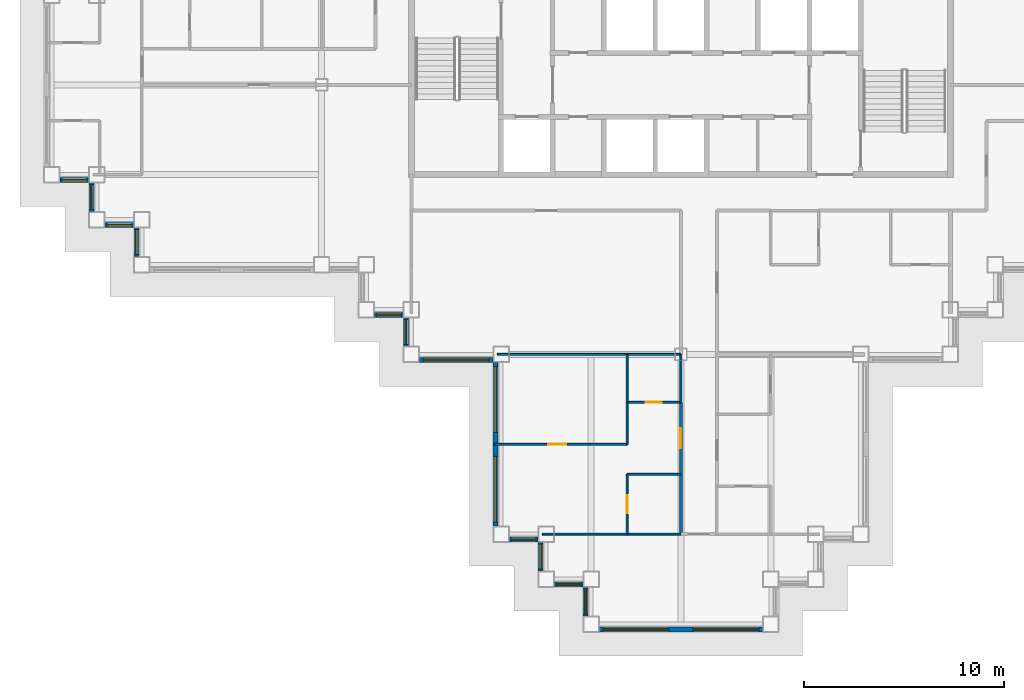
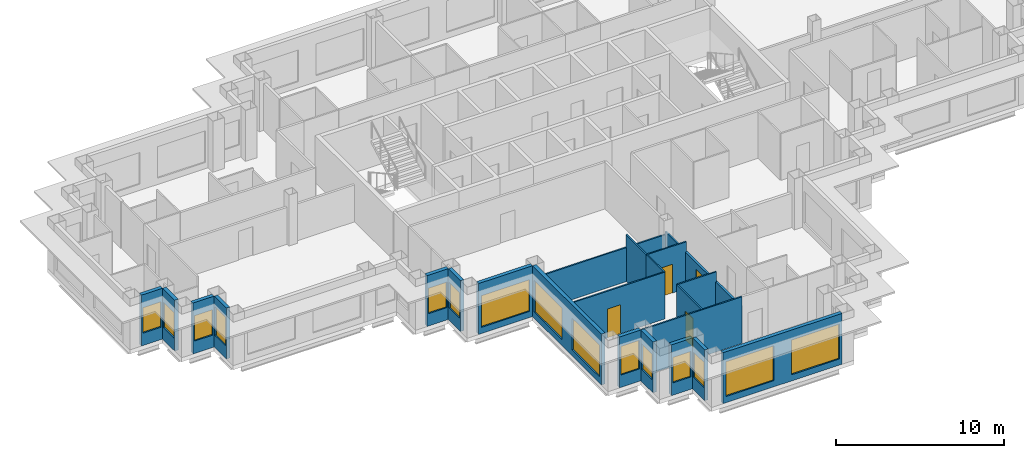
# One storey, part 3 of 13: 24 walls, 15 windows, 4 doors, 19 openings.
"""IFC4 building model written with IfcOpenShell, lengths in metres."""

from ifc_helpers import new_model, si_unit, direction, frame, frame_2d, origin, place, context, subcontext, project, spatial, rectangle, extrude, material, layer, layer_set, type_object, element, fill, save


model = new_model("IFC4")

# Units and contexts
model_context = context("Model", 3, precision=1e-05, world=origin(), true_north=direction((0.0, 1.0)))
body_context = subcontext(model_context, "Body", "Model", "MODEL_VIEW")
ifc_project = project(units=[si_unit("LENGTHUNIT", "METRE"), si_unit("AREAUNIT", "SQUARE_METRE"), si_unit("VOLUMEUNIT", "CUBIC_METRE"), si_unit("PLANEANGLEUNIT", "RADIAN"), si_unit("MASSUNIT", "GRAM", prefix="KILO")], contexts=[model_context])

# Site, building, storey
site_placement = place(None, origin())
site = spatial("IfcSite", under=ifc_project, at=site_placement, CompositionType="ELEMENT")
building_placement = place(site_placement, origin())
building = spatial("IfcBuilding", under=site, at=building_placement, Name="Caravel Reach Hotel and Residences", CompositionType="ELEMENT")
storey_placement = place(building_placement, frame((0.0, 0.0, 158.0)))
storey = spatial("IfcBuildingStorey", under=building, at=storey_placement, Name="L39", CompositionType="ELEMENT", Elevation=158.0)

# Wall, opening, door
ifc_material_1 = material(Name="Gypsum board on steel stud", Category="steel")
ifc_layer_1 = layer(ifc_material_1, 0.10009765625)
ifc_layer_set_1 = layer_set([ifc_layer_1], Name="Bathroom pod wall 100 mm")
wall_type_1 = type_object("IfcWallType", Name="Bathroom pod wall 100 mm", PredefinedType="PARTITIONING", material=ifc_layer_set_1)
wall_1_placement = place(storey_placement, frame((28.800048828125, 11.10009765625, 0.0), z_axis=(0.0, 0.0, 1.0), x_axis=(1.0, 0.0, 0.0)))
wall_1 = element("IfcWall", 1, at=wall_1_placement, inside=storey, type_object=wall_type_1, Name="L39 wall w080", PredefinedType="PARTITIONING", context=body_context, shape_type="SweptSolid", body=[
    extrude(rectangle(XDim=2.699951171875, YDim=0.10009765625, at=frame_2d((1.35009765625, 0.0))), origin(), (0.0, 0.0, 1.0), 3.39990234375),
])
opening_1_placement = place(wall_1_placement, frame((0.949951171875, 0.0, 0.0)))
opening_1 = element("IfcOpeningElement", 2, at=opening_1_placement, cuts=wall_1, Name="Opening D39-041", PredefinedType="OPENING", context=body_context, shape_type="SweptSolid", body=[
    extrude(rectangle(XDim=0.800048828125, YDim=2.10009765625, at=frame_2d((0.39990234375, 1.050048828125))), frame((0.0, 0.06005859375, 0.0), z_axis=(0.0, -1.0, 0.0), x_axis=(1.0, 0.0, 0.0)), (0.0, 0.0, 1.0), 0.1201171875),
])
ifc_material_2 = material(Name="Timber and steel door leaf", Category="steel")
door_type_1 = type_object("IfcDoorType", Name="Bathroom door 800 x 2100", OperationType="SINGLE_SWING_LEFT", PredefinedType="DOOR", material=ifc_material_2)
door_1_placement = place(opening_1_placement, origin())
door_1 = element("IfcDoor", 3, at=door_1_placement, inside=storey, type_object=door_type_1, Name="door D39-041", OperationType="SINGLE_SWING_LEFT", OverallHeight=2.10009765625, OverallWidth=0.800048828125, PredefinedType="DOOR", context=body_context, shape_type="SweptSolid", body=[
    extrude(rectangle(XDim=0.800048828125, YDim=2.10009765625, at=frame_2d((0.39990234375, 1.050048828125))), frame((0.0, 0.02490234375, 0.0), z_axis=(0.0, -1.0, 0.0), x_axis=(1.0, 0.0, 0.0)), (0.0, 0.0, 1.0), 0.050048828125),
])
fill(opening_1, door_1)

# Walls
wall_2_placement = place(storey_placement, frame((28.800048828125, 13.5, 0.0), z_axis=(0.0, 0.0, 1.0), x_axis=(1.0, 0.0, 0.0)))
element("IfcWall", 4, at=wall_2_placement, inside=storey, type_object=wall_type_1, Name="L39 wall w081", PredefinedType="PARTITIONING", context=body_context, shape_type="SweptSolid", body=[
    extrude(rectangle(XDim=2.699951171875, YDim=0.10009765625, at=frame_2d((1.35009765625, 0.0))), origin(), (0.0, 0.0, 1.0), 2.47998046875),
])
wall_3_placement = place(storey_placement, frame((28.800048828125, 11.10009765625, 0.0), z_axis=(0.0, 0.0, 1.0), x_axis=(0.0, 1.0, 0.0)))
element("IfcWall", 5, at=wall_3_placement, inside=storey, type_object=wall_type_1, Name="L39 wall w101", PredefinedType="PARTITIONING", context=body_context, shape_type="SweptSolid", body=[
    extrude(rectangle(XDim=2.39990234375, YDim=0.10009765625, at=frame_2d((1.199951171875, 0.0))), origin(), (0.0, 0.0, 1.0), 3.39990234375),
])
wall_4_placement = place(storey_placement, frame((31.5, 11.10009765625, 0.0), z_axis=(0.0, 0.0, 1.0), x_axis=(0.0, 1.0, 0.0)))
element("IfcWall", 6, at=wall_4_placement, inside=storey, type_object=wall_type_1, Name="L39 wall w103", PredefinedType="PARTITIONING", context=body_context, shape_type="SweptSolid", body=[
    extrude(rectangle(XDim=2.39990234375, YDim=0.10009765625, at=frame_2d((1.199951171875, 0.0))), origin(), (0.0, 0.0, 1.0), 2.679931640625),
])

# Wall, opening, door
ifc_material_3 = material(Name="Gypsum board on steel stud, fire-rated", Category="steel")
ifc_layer_2 = layer(ifc_material_3, 0.14990234375)
ifc_layer_set_2 = layer_set([ifc_layer_2], Name="Corridor wall 150 mm EI 60")
wall_type_2 = type_object("IfcWallType", Name="Corridor wall 150 mm EI 60", PredefinedType="PARTITIONING", material=ifc_layer_set_2)
wall_5_placement = place(storey_placement, frame((31.5, 4.5, 0.0), z_axis=(0.0, 0.0, 1.0), x_axis=(0.0, 1.0, 0.0)))
wall_5 = element("IfcWall", 7, at=wall_5_placement, inside=storey, type_object=wall_type_2, Name="L39 wall w025", PredefinedType="PARTITIONING", context=body_context, shape_type="SweptSolid", body=[
    extrude(rectangle(XDim=6.60009765625, YDim=0.14990234375, at=frame_2d((3.300048828125, 0.0))), origin(), (0.0, 0.0, 1.0), 2.679931640625),
])
opening_2_placement = place(wall_5_placement, frame((4.300048828125, 0.0, 0.0)))
opening_2 = element("IfcOpeningElement", 8, at=opening_2_placement, cuts=wall_5, Name="Opening D39-039", PredefinedType="OPENING", context=body_context, shape_type="SweptSolid", body=[
    extrude(rectangle(XDim=1.0, YDim=2.199951171875, at=frame_2d((0.5, 1.10009765625))), frame((0.0, 0.0849609375, 0.0), z_axis=(0.0, -1.0, 0.0), x_axis=(1.0, 0.0, 0.0)), (0.0, 0.0, 1.0), 0.169921875),
])
ifc_material_4 = material(Name="Steel fire door leaf", Category="steel")
door_type_2 = type_object("IfcDoorType", Name="Flat entrance door 1000 x 2200 EI 60", OperationType="SINGLE_SWING_LEFT", PredefinedType="DOOR", material=ifc_material_4)
door_2_placement = place(opening_2_placement, origin())
door_2 = element("IfcDoor", 9, at=door_2_placement, inside=storey, type_object=door_type_2, Name="door D39-039", OperationType="SINGLE_SWING_LEFT", OverallHeight=2.199951171875, OverallWidth=1.0, PredefinedType="DOOR", context=body_context, shape_type="SweptSolid", body=[
    extrude(rectangle(XDim=1.0, YDim=2.199951171875, at=frame_2d((0.5, 1.10009765625))), frame((0.0, 0.02490234375, 0.0), z_axis=(0.0, -1.0, 0.0), x_axis=(1.0, 0.0, 0.0)), (0.0, 0.0, 1.0), 0.050048828125),
])
fill(opening_2, door_2)

# Wall, opening, window
ifc_material_5 = material(Name="Insulated rainscreen wall, aluminium cladding", Category="aluminium")
ifc_layer_3 = layer(ifc_material_5, 0.25)
ifc_layer_set_3 = layer_set([ifc_layer_3], Name="EW1 Tower rainscreen wall")
wall_type_3 = type_object("IfcWallType", Name="EW1 Tower rainscreen wall", PredefinedType="SOLIDWALL", material=ifc_layer_set_3)
wall_6_placement = place(storey_placement, frame((22.89990234375, 4.22509765625, 0.0), z_axis=(0.0, 0.0, 1.0), x_axis=(1.0, 0.0, 0.0)))
wall_6 = element("IfcWall", 10, at=wall_6_placement, inside=storey, type_object=wall_type_3, Name="External wall L39 S1.1", PredefinedType="SOLIDWALL", context=body_context, shape_type="SweptSolid", body=[
    extrude(rectangle(XDim=1.4501953125, YDim=0.25, at=frame_2d((0.72509765625, 0.0))), origin(), (0.0, 0.0, 1.0), 3.699951171875),
])
opening_3_placement = place(wall_6_placement, frame((0.10009765625, 0.0, 0.89990234375)))
opening_3 = element("IfcOpeningElement", 11, at=opening_3_placement, cuts=wall_6, Name="Opening WN12", PredefinedType="OPENING", context=body_context, shape_type="SweptSolid", body=[
    extrude(rectangle(XDim=1.25, YDim=2.080078125, at=frame_2d((0.625, 1.0400390625))), frame((0.0, 0.135009765625, 0.0), z_axis=(0.0, -1.0, 0.0), x_axis=(1.0, 0.0, 0.0)), (0.0, 0.0, 1.0), 0.27001953125),
])
ifc_material_6 = material(Name="Dark low-e glazing in black aluminium frame", Category="aluminium")
window_type_1 = type_object("IfcWindowType", Name="Residence bedroom window 1250 x 2080", PartitioningType="SINGLE_PANEL", PredefinedType="WINDOW", material=ifc_material_6)
window_1_placement = place(opening_3_placement, origin())
window_1 = element("IfcWindow", 12, at=window_1_placement, inside=storey, type_object=window_type_1, Name="Window L39 S1.1.1", OverallHeight=2.080078125, OverallWidth=1.25, PartitioningType="SINGLE_PANEL", PredefinedType="WINDOW", context=body_context, shape_type="SweptSolid", body=[
    extrude(rectangle(XDim=1.25, YDim=2.080078125, at=frame_2d((0.625, 1.0400390625))), frame((0.0, 0.030029296875, 0.0), z_axis=(0.0, -1.0, 0.0), x_axis=(1.0, 0.0, 0.0)), (0.0, 0.0, 1.0), 0.06005859375),
])
fill(opening_3, window_1)

wall_7_placement = place(storey_placement, frame((24.47509765625, 4.10009765625, 0.0), z_axis=(0.0, 0.0, 1.0), x_axis=(0.0, -1.0, 0.0)))
wall_7 = element("IfcWall", 13, at=wall_7_placement, inside=storey, type_object=wall_type_3, Name="External wall L39 W2.1", PredefinedType="SOLIDWALL", context=body_context, shape_type="SweptSolid", body=[
    extrude(rectangle(XDim=1.4501953125, YDim=0.25, at=frame_2d((0.72509765625, 0.0))), origin(), (0.0, 0.0, 1.0), 3.699951171875),
])
opening_4_placement = place(wall_7_placement, frame((0.10009765625, 0.0, 0.89990234375)))
opening_4 = element("IfcOpeningElement", 14, at=opening_4_placement, cuts=wall_7, Name="Opening WN13", PredefinedType="OPENING", context=body_context, shape_type="SweptSolid", body=[
    extrude(rectangle(XDim=1.25, YDim=1.85009765625, at=frame_2d((0.625, 0.925048828125))), frame((0.0, 0.135009765625, 0.0), z_axis=(0.0, -1.0, 0.0), x_axis=(1.0, 0.0, 0.0)), (0.0, 0.0, 1.0), 0.27001953125),
])
ifc_material_7 = material(Name="Dark low-e glazing in black aluminium frame", Category="aluminium")
window_type_2 = type_object("IfcWindowType", Name="Residence bedroom window 1250 x 1850", PartitioningType="SINGLE_PANEL", PredefinedType="WINDOW", material=ifc_material_7)
window_2_placement = place(opening_4_placement, origin())
window_2 = element("IfcWindow", 15, at=window_2_placement, inside=storey, type_object=window_type_2, Name="Window L39 W2.1.1", OverallHeight=1.85009765625, OverallWidth=1.25, PartitioningType="SINGLE_PANEL", PredefinedType="WINDOW", context=body_context, shape_type="SweptSolid", body=[
    extrude(rectangle(XDim=1.25, YDim=1.85009765625, at=frame_2d((0.625, 0.925048828125))), frame((0.0, 0.030029296875, 0.0), z_axis=(0.0, -1.0, 0.0), x_axis=(1.0, 0.0, 0.0)), (0.0, 0.0, 1.0), 0.06005859375),
])
fill(opening_4, window_2)

wall_8_placement = place(storey_placement, frame((25.14990234375, 1.97509765625, 0.0), z_axis=(0.0, 0.0, 1.0), x_axis=(1.0, 0.0, 0.0)))
wall_8 = element("IfcWall", 16, at=wall_8_placement, inside=storey, type_object=wall_type_3, Name="External wall L39 S3.1", PredefinedType="SOLIDWALL", context=body_context, shape_type="SweptSolid", body=[
    extrude(rectangle(XDim=1.4501953125, YDim=0.25, at=frame_2d((0.72509765625, 0.0))), origin(), (0.0, 0.0, 1.0), 3.699951171875),
])
opening_5_placement = place(wall_8_placement, frame((0.10009765625, 0.0, 0.89990234375)))
opening_5 = element("IfcOpeningElement", 17, at=opening_5_placement, cuts=wall_8, Name="Opening WN13", PredefinedType="OPENING", context=body_context, shape_type="SweptSolid", body=[
    extrude(rectangle(XDim=1.25, YDim=1.85009765625, at=frame_2d((0.625, 0.925048828125))), frame((0.0, 0.135009765625, 0.0), z_axis=(0.0, -1.0, 0.0), x_axis=(1.0, 0.0, 0.0)), (0.0, 0.0, 1.0), 0.27001953125),
])
window_3_placement = place(opening_5_placement, origin())
window_3 = element("IfcWindow", 18, at=window_3_placement, inside=storey, type_object=window_type_2, Name="Window L39 S3.1.1", OverallHeight=1.85009765625, OverallWidth=1.25, PartitioningType="SINGLE_PANEL", PredefinedType="WINDOW", context=body_context, shape_type="SweptSolid", body=[
    extrude(rectangle(XDim=1.25, YDim=1.85009765625, at=frame_2d((0.625, 0.925048828125))), frame((0.0, 0.030029296875, 0.0), z_axis=(0.0, -1.0, 0.0), x_axis=(1.0, 0.0, 0.0)), (0.0, 0.0, 1.0), 0.06005859375),
])
fill(opening_5, window_3)

wall_9_placement = place(storey_placement, frame((26.72509765625, 1.85009765625, 0.0), z_axis=(0.0, 0.0, 1.0), x_axis=(0.0, -1.0, 0.0)))
wall_9 = element("IfcWall", 19, at=wall_9_placement, inside=storey, type_object=wall_type_3, Name="External wall L39 W4.1", PredefinedType="SOLIDWALL", context=body_context, shape_type="SweptSolid", body=[
    extrude(rectangle(XDim=1.4501953125, YDim=0.25, at=frame_2d((0.72509765625, 0.0))), origin(), (0.0, 0.0, 1.0), 3.699951171875),
])
opening_6_placement = place(wall_9_placement, frame((0.10009765625, 0.0, 0.89990234375)))
opening_6 = element("IfcOpeningElement", 20, at=opening_6_placement, cuts=wall_9, Name="Opening WN13", PredefinedType="OPENING", context=body_context, shape_type="SweptSolid", body=[
    extrude(rectangle(XDim=1.25, YDim=1.85009765625, at=frame_2d((0.625, 0.925048828125))), frame((0.0, 0.135009765625, 0.0), z_axis=(0.0, -1.0, 0.0), x_axis=(1.0, 0.0, 0.0)), (0.0, 0.0, 1.0), 0.27001953125),
])
window_4_placement = place(opening_6_placement, origin())
window_4 = element("IfcWindow", 21, at=window_4_placement, inside=storey, type_object=window_type_2, Name="Window L39 W4.1.1", OverallHeight=1.85009765625, OverallWidth=1.25, PartitioningType="SINGLE_PANEL", PredefinedType="WINDOW", context=body_context, shape_type="SweptSolid", body=[
    extrude(rectangle(XDim=1.25, YDim=1.85009765625, at=frame_2d((0.625, 0.925048828125))), frame((0.0, 0.030029296875, 0.0), z_axis=(0.0, -1.0, 0.0), x_axis=(1.0, 0.0, 0.0)), (0.0, 0.0, 1.0), 0.06005859375),
])
fill(opening_6, window_4)

# Wall, openings, windows
wall_10_placement = place(storey_placement, frame((27.39990234375, -0.27490234375, 0.0), z_axis=(0.0, 0.0, 1.0), x_axis=(1.0, 0.0, 0.0)))
wall_10 = element("IfcWall", 22, at=wall_10_placement, inside=storey, type_object=wall_type_3, Name="External wall L39 S5.1", PredefinedType="SOLIDWALL", context=body_context, shape_type="SweptSolid", body=[
    extrude(rectangle(XDim=8.2001953125, YDim=0.25, at=frame_2d((4.10009765625, 0.0))), origin(), (0.0, 0.0, 1.0), 3.699951171875),
])
opening_7_placement = place(wall_10_placement, frame((0.199951171875, 0.0, 0.449951171875)))
opening_7 = element("IfcOpeningElement", 23, at=opening_7_placement, cuts=wall_10, Name="Opening WN14", PredefinedType="OPENING", context=body_context, shape_type="SweptSolid", body=[
    extrude(rectangle(XDim=3.300048828125, YDim=2.530029296875, at=frame_2d((1.64990234375, 1.26513671875))), frame((0.0, 0.135009765625, 0.0), z_axis=(0.0, -1.0, 0.0), x_axis=(1.0, 0.0, 0.0)), (0.0, 0.0, 1.0), 0.27001953125),
])
opening_8_placement = place(wall_10_placement, frame((4.699951171875, 0.0, 0.449951171875)))
opening_8 = element("IfcOpeningElement", 24, at=opening_8_placement, cuts=wall_10, Name="Opening WN14", PredefinedType="OPENING", context=body_context, shape_type="SweptSolid", body=[
    extrude(rectangle(XDim=3.300048828125, YDim=2.530029296875, at=frame_2d((1.64990234375, 1.26513671875))), frame((0.0, 0.135009765625, 0.0), z_axis=(0.0, -1.0, 0.0), x_axis=(1.0, 0.0, 0.0)), (0.0, 0.0, 1.0), 0.27001953125),
])
ifc_material_8 = material(Name="Dark low-e glazing in black aluminium frame", Category="aluminium")
window_type_3 = type_object("IfcWindowType", Name="Residence living window 3300 x 2530", PartitioningType="SINGLE_PANEL", PredefinedType="WINDOW", material=ifc_material_8)
window_5_placement = place(opening_7_placement, origin())
window_5 = element("IfcWindow", 25, at=window_5_placement, inside=storey, type_object=window_type_3, Name="Window L39 S5.1.1", OverallHeight=2.530029296875, OverallWidth=3.300048828125, PartitioningType="SINGLE_PANEL", PredefinedType="WINDOW", context=body_context, shape_type="SweptSolid", body=[
    extrude(rectangle(XDim=3.300048828125, YDim=2.530029296875, at=frame_2d((1.64990234375, 1.26513671875))), frame((0.0, 0.030029296875, 0.0), z_axis=(0.0, -1.0, 0.0), x_axis=(1.0, 0.0, 0.0)), (0.0, 0.0, 1.0), 0.06005859375),
])
fill(opening_7, window_5)
window_6_placement = place(opening_8_placement, origin())
window_6 = element("IfcWindow", 26, at=window_6_placement, inside=storey, type_object=window_type_3, Name="Window L39 S5.1.2", OverallHeight=2.530029296875, OverallWidth=3.300048828125, PartitioningType="SINGLE_PANEL", PredefinedType="WINDOW", context=body_context, shape_type="SweptSolid", body=[
    extrude(rectangle(XDim=3.300048828125, YDim=2.530029296875, at=frame_2d((1.64990234375, 1.26513671875))), frame((0.0, 0.030029296875, 0.0), z_axis=(0.0, -1.0, 0.0), x_axis=(1.0, 0.0, 0.0)), (0.0, 0.0, 1.0), 0.06005859375),
])
fill(opening_8, window_6)

# Wall, opening, window
wall_11_placement = place(storey_placement, frame((0.39990234375, 22.22509765625, 0.0), z_axis=(0.0, 0.0, 1.0), x_axis=(1.0, 0.0, 0.0)))
wall_11 = element("IfcWall", 27, at=wall_11_placement, inside=storey, type_object=wall_type_3, Name="External wall L39 S39.1", PredefinedType="SOLIDWALL", context=body_context, shape_type="SweptSolid", body=[
    extrude(rectangle(XDim=1.4501953125, YDim=0.25, at=frame_2d((0.72509765625, 0.0))), origin(), (0.0, 0.0, 1.0), 3.699951171875),
])
opening_9_placement = place(wall_11_placement, frame((0.10009765625, 0.0, 0.89990234375)))
opening_9 = element("IfcOpeningElement", 28, at=opening_9_placement, cuts=wall_11, Name="Opening WN13", PredefinedType="OPENING", context=body_context, shape_type="SweptSolid", body=[
    extrude(rectangle(XDim=1.25, YDim=1.85009765625, at=frame_2d((0.625, 0.925048828125))), frame((0.0, 0.135009765625, 0.0), z_axis=(0.0, -1.0, 0.0), x_axis=(1.0, 0.0, 0.0)), (0.0, 0.0, 1.0), 0.27001953125),
])
window_7_placement = place(opening_9_placement, origin())
window_7 = element("IfcWindow", 29, at=window_7_placement, inside=storey, type_object=window_type_2, Name="Window L39 S39.1.1", OverallHeight=1.85009765625, OverallWidth=1.25, PartitioningType="SINGLE_PANEL", PredefinedType="WINDOW", context=body_context, shape_type="SweptSolid", body=[
    extrude(rectangle(XDim=1.25, YDim=1.85009765625, at=frame_2d((0.625, 0.925048828125))), frame((0.0, 0.030029296875, 0.0), z_axis=(0.0, -1.0, 0.0), x_axis=(1.0, 0.0, 0.0)), (0.0, 0.0, 1.0), 0.06005859375),
])
fill(opening_9, window_7)

wall_12_placement = place(storey_placement, frame((1.97509765625, 22.10009765625, 0.0), z_axis=(0.0, 0.0, 1.0), x_axis=(0.0, -1.0, 0.0)))
wall_12 = element("IfcWall", 30, at=wall_12_placement, inside=storey, type_object=wall_type_3, Name="External wall L39 W40.1", PredefinedType="SOLIDWALL", context=body_context, shape_type="SweptSolid", body=[
    extrude(rectangle(XDim=1.4501953125, YDim=0.25, at=frame_2d((0.72509765625, 0.0))), origin(), (0.0, 0.0, 1.0), 3.699951171875),
])
opening_10_placement = place(wall_12_placement, frame((0.10009765625, 0.0, 0.89990234375)))
opening_10 = element("IfcOpeningElement", 31, at=opening_10_placement, cuts=wall_12, Name="Opening WN13", PredefinedType="OPENING", context=body_context, shape_type="SweptSolid", body=[
    extrude(rectangle(XDim=1.25, YDim=1.85009765625, at=frame_2d((0.625, 0.925048828125))), frame((0.0, 0.135009765625, 0.0), z_axis=(0.0, -1.0, 0.0), x_axis=(1.0, 0.0, 0.0)), (0.0, 0.0, 1.0), 0.27001953125),
])
window_8_placement = place(opening_10_placement, origin())
window_8 = element("IfcWindow", 32, at=window_8_placement, inside=storey, type_object=window_type_2, Name="Window L39 W40.1.1", OverallHeight=1.85009765625, OverallWidth=1.25, PartitioningType="SINGLE_PANEL", PredefinedType="WINDOW", context=body_context, shape_type="SweptSolid", body=[
    extrude(rectangle(XDim=1.25, YDim=1.85009765625, at=frame_2d((0.625, 0.925048828125))), frame((0.0, 0.030029296875, 0.0), z_axis=(0.0, -1.0, 0.0), x_axis=(1.0, 0.0, 0.0)), (0.0, 0.0, 1.0), 0.06005859375),
])
fill(opening_10, window_8)

wall_13_placement = place(storey_placement, frame((2.64990234375, 19.97509765625, 0.0), z_axis=(0.0, 0.0, 1.0), x_axis=(1.0, 0.0, 0.0)))
wall_13 = element("IfcWall", 33, at=wall_13_placement, inside=storey, type_object=wall_type_3, Name="External wall L39 S41.1", PredefinedType="SOLIDWALL", context=body_context, shape_type="SweptSolid", body=[
    extrude(rectangle(XDim=1.4501953125, YDim=0.25, at=frame_2d((0.72509765625, 0.0))), origin(), (0.0, 0.0, 1.0), 3.699951171875),
])
opening_11_placement = place(wall_13_placement, frame((0.10009765625, 0.0, 0.89990234375)))
opening_11 = element("IfcOpeningElement", 34, at=opening_11_placement, cuts=wall_13, Name="Opening WN13", PredefinedType="OPENING", context=body_context, shape_type="SweptSolid", body=[
    extrude(rectangle(XDim=1.25, YDim=1.85009765625, at=frame_2d((0.625, 0.925048828125))), frame((0.0, 0.135009765625, 0.0), z_axis=(0.0, -1.0, 0.0), x_axis=(1.0, 0.0, 0.0)), (0.0, 0.0, 1.0), 0.27001953125),
])
window_9_placement = place(opening_11_placement, origin())
window_9 = element("IfcWindow", 35, at=window_9_placement, inside=storey, type_object=window_type_2, Name="Window L39 S41.1.1", OverallHeight=1.85009765625, OverallWidth=1.25, PartitioningType="SINGLE_PANEL", PredefinedType="WINDOW", context=body_context, shape_type="SweptSolid", body=[
    extrude(rectangle(XDim=1.25, YDim=1.85009765625, at=frame_2d((0.625, 0.925048828125))), frame((0.0, 0.030029296875, 0.0), z_axis=(0.0, -1.0, 0.0), x_axis=(1.0, 0.0, 0.0)), (0.0, 0.0, 1.0), 0.06005859375),
])
fill(opening_11, window_9)

wall_14_placement = place(storey_placement, frame((4.22509765625, 19.85009765625, 0.0), z_axis=(0.0, 0.0, 1.0), x_axis=(0.0, -1.0, 0.0)))
wall_14 = element("IfcWall", 36, at=wall_14_placement, inside=storey, type_object=wall_type_3, Name="External wall L39 W42.1", PredefinedType="SOLIDWALL", context=body_context, shape_type="SweptSolid", body=[
    extrude(rectangle(XDim=1.4501953125, YDim=0.25, at=frame_2d((0.72509765625, 0.0))), origin(), (0.0, 0.0, 1.0), 3.699951171875),
])
opening_12_placement = place(wall_14_placement, frame((0.10009765625, 0.0, 0.89990234375)))
opening_12 = element("IfcOpeningElement", 37, at=opening_12_placement, cuts=wall_14, Name="Opening WN12", PredefinedType="OPENING", context=body_context, shape_type="SweptSolid", body=[
    extrude(rectangle(XDim=1.25, YDim=2.080078125, at=frame_2d((0.625, 1.0400390625))), frame((0.0, 0.135009765625, 0.0), z_axis=(0.0, -1.0, 0.0), x_axis=(1.0, 0.0, 0.0)), (0.0, 0.0, 1.0), 0.27001953125),
])
window_10_placement = place(opening_12_placement, origin())
window_10 = element("IfcWindow", 38, at=window_10_placement, inside=storey, type_object=window_type_1, Name="Window L39 W42.1.1", OverallHeight=2.080078125, OverallWidth=1.25, PartitioningType="SINGLE_PANEL", PredefinedType="WINDOW", context=body_context, shape_type="SweptSolid", body=[
    extrude(rectangle(XDim=1.25, YDim=2.080078125, at=frame_2d((0.625, 1.0400390625))), frame((0.0, 0.030029296875, 0.0), z_axis=(0.0, -1.0, 0.0), x_axis=(1.0, 0.0, 0.0)), (0.0, 0.0, 1.0), 0.06005859375),
])
fill(opening_12, window_10)

wall_15_placement = place(storey_placement, frame((16.14990234375, 15.47509765625, 0.0), z_axis=(0.0, 0.0, 1.0), x_axis=(1.0, 0.0, 0.0)))
wall_15 = element("IfcWall", 39, at=wall_15_placement, inside=storey, type_object=wall_type_3, Name="External wall L39 S45.1", PredefinedType="SOLIDWALL", context=body_context, shape_type="SweptSolid", body=[
    extrude(rectangle(XDim=1.4501953125, YDim=0.25, at=frame_2d((0.72509765625, 0.0))), origin(), (0.0, 0.0, 1.0), 3.699951171875),
])
opening_13_placement = place(wall_15_placement, frame((0.10009765625, 0.0, 0.89990234375)))
opening_13 = element("IfcOpeningElement", 40, at=opening_13_placement, cuts=wall_15, Name="Opening WN13", PredefinedType="OPENING", context=body_context, shape_type="SweptSolid", body=[
    extrude(rectangle(XDim=1.25, YDim=1.85009765625, at=frame_2d((0.625, 0.925048828125))), frame((0.0, 0.135009765625, 0.0), z_axis=(0.0, -1.0, 0.0), x_axis=(1.0, 0.0, 0.0)), (0.0, 0.0, 1.0), 0.27001953125),
])
window_11_placement = place(opening_13_placement, origin())
window_11 = element("IfcWindow", 41, at=window_11_placement, inside=storey, type_object=window_type_2, Name="Window L39 S45.1.1", OverallHeight=1.85009765625, OverallWidth=1.25, PartitioningType="SINGLE_PANEL", PredefinedType="WINDOW", context=body_context, shape_type="SweptSolid", body=[
    extrude(rectangle(XDim=1.25, YDim=1.85009765625, at=frame_2d((0.625, 0.925048828125))), frame((0.0, 0.030029296875, 0.0), z_axis=(0.0, -1.0, 0.0), x_axis=(1.0, 0.0, 0.0)), (0.0, 0.0, 1.0), 0.06005859375),
])
fill(opening_13, window_11)

wall_16_placement = place(storey_placement, frame((17.72509765625, 15.35009765625, 0.0), z_axis=(0.0, 0.0, 1.0), x_axis=(0.0, -1.0, 0.0)))
wall_16 = element("IfcWall", 42, at=wall_16_placement, inside=storey, type_object=wall_type_3, Name="External wall L39 W46.1", PredefinedType="SOLIDWALL", context=body_context, shape_type="SweptSolid", body=[
    extrude(rectangle(XDim=1.4501953125, YDim=0.25, at=frame_2d((0.72509765625, 0.0))), origin(), (0.0, 0.0, 1.0), 3.699951171875),
])
opening_14_placement = place(wall_16_placement, frame((0.10009765625, 0.0, 0.89990234375)))
opening_14 = element("IfcOpeningElement", 43, at=opening_14_placement, cuts=wall_16, Name="Opening WN13", PredefinedType="OPENING", context=body_context, shape_type="SweptSolid", body=[
    extrude(rectangle(XDim=1.25, YDim=1.85009765625, at=frame_2d((0.625, 0.925048828125))), frame((0.0, 0.135009765625, 0.0), z_axis=(0.0, -1.0, 0.0), x_axis=(1.0, 0.0, 0.0)), (0.0, 0.0, 1.0), 0.27001953125),
])
window_12_placement = place(opening_14_placement, origin())
window_12 = element("IfcWindow", 44, at=window_12_placement, inside=storey, type_object=window_type_2, Name="Window L39 W46.1.1", OverallHeight=1.85009765625, OverallWidth=1.25, PartitioningType="SINGLE_PANEL", PredefinedType="WINDOW", context=body_context, shape_type="SweptSolid", body=[
    extrude(rectangle(XDim=1.25, YDim=1.85009765625, at=frame_2d((0.625, 0.925048828125))), frame((0.0, 0.030029296875, 0.0), z_axis=(0.0, -1.0, 0.0), x_axis=(1.0, 0.0, 0.0)), (0.0, 0.0, 1.0), 0.06005859375),
])
fill(opening_14, window_12)

wall_17_placement = place(storey_placement, frame((18.39990234375, 13.22509765625, 0.0), z_axis=(0.0, 0.0, 1.0), x_axis=(1.0, 0.0, 0.0)))
wall_17 = element("IfcWall", 45, at=wall_17_placement, inside=storey, type_object=wall_type_3, Name="External wall L39 S47.1", PredefinedType="SOLIDWALL", context=body_context, shape_type="SweptSolid", body=[
    extrude(rectangle(XDim=3.7001953125, YDim=0.25, at=frame_2d((1.85009765625, 0.0))), origin(), (0.0, 0.0, 1.0), 3.699951171875),
])
opening_15_placement = place(wall_17_placement, frame((0.199951171875, 0.0, 0.449951171875)))
opening_15 = element("IfcOpeningElement", 46, at=opening_15_placement, cuts=wall_17, Name="Opening WN15", PredefinedType="OPENING", context=body_context, shape_type="SweptSolid", body=[
    extrude(rectangle(XDim=3.300048828125, YDim=2.300048828125, at=frame_2d((1.64990234375, 1.14990234375))), frame((0.0, 0.135009765625, 0.0), z_axis=(0.0, -1.0, 0.0), x_axis=(1.0, 0.0, 0.0)), (0.0, 0.0, 1.0), 0.27001953125),
])
ifc_material_9 = material(Name="Dark low-e glazing in black aluminium frame", Category="aluminium")
window_type_4 = type_object("IfcWindowType", Name="Residence living window 3300 x 2300", PartitioningType="SINGLE_PANEL", PredefinedType="WINDOW", material=ifc_material_9)
window_13_placement = place(opening_15_placement, origin())
window_13 = element("IfcWindow", 47, at=window_13_placement, inside=storey, type_object=window_type_4, Name="Window L39 S47.1.1", OverallHeight=2.300048828125, OverallWidth=3.300048828125, PartitioningType="SINGLE_PANEL", PredefinedType="WINDOW", context=body_context, shape_type="SweptSolid", body=[
    extrude(rectangle(XDim=3.300048828125, YDim=2.300048828125, at=frame_2d((1.64990234375, 1.14990234375))), frame((0.0, 0.030029296875, 0.0), z_axis=(0.0, -1.0, 0.0), x_axis=(1.0, 0.0, 0.0)), (0.0, 0.0, 1.0), 0.06005859375),
])
fill(opening_15, window_13)

# Wall, openings, windows
wall_18_placement = place(storey_placement, frame((22.22509765625, 13.10009765625, 0.0), z_axis=(0.0, 0.0, 1.0), x_axis=(0.0, -1.0, 0.0)))
wall_18 = element("IfcWall", 48, at=wall_18_placement, inside=storey, type_object=wall_type_3, Name="External wall L39 W48.1", PredefinedType="SOLIDWALL", context=body_context, shape_type="SweptSolid", body=[
    extrude(rectangle(XDim=8.2001953125, YDim=0.25, at=frame_2d((4.10009765625, 0.0))), origin(), (0.0, 0.0, 1.0), 3.699951171875),
])
opening_16_placement = place(wall_18_placement, frame((0.199951171875, 0.0, 0.449951171875)))
opening_16 = element("IfcOpeningElement", 49, at=opening_16_placement, cuts=wall_18, Name="Opening WN15", PredefinedType="OPENING", context=body_context, shape_type="SweptSolid", body=[
    extrude(rectangle(XDim=3.300048828125, YDim=2.300048828125, at=frame_2d((1.64990234375, 1.14990234375))), frame((0.0, 0.135009765625, 0.0), z_axis=(0.0, -1.0, 0.0), x_axis=(1.0, 0.0, 0.0)), (0.0, 0.0, 1.0), 0.27001953125),
])
opening_17_placement = place(wall_18_placement, frame((4.699951171875, 0.0, 0.449951171875)))
opening_17 = element("IfcOpeningElement", 50, at=opening_17_placement, cuts=wall_18, Name="Opening WN15", PredefinedType="OPENING", context=body_context, shape_type="SweptSolid", body=[
    extrude(rectangle(XDim=3.300048828125, YDim=2.300048828125, at=frame_2d((1.64990234375, 1.14990234375))), frame((0.0, 0.135009765625, 0.0), z_axis=(0.0, -1.0, 0.0), x_axis=(1.0, 0.0, 0.0)), (0.0, 0.0, 1.0), 0.27001953125),
])
window_14_placement = place(opening_16_placement, origin())
window_14 = element("IfcWindow", 51, at=window_14_placement, inside=storey, type_object=window_type_4, Name="Window L39 W48.1.1", OverallHeight=2.300048828125, OverallWidth=3.300048828125, PartitioningType="SINGLE_PANEL", PredefinedType="WINDOW", context=body_context, shape_type="SweptSolid", body=[
    extrude(rectangle(XDim=3.300048828125, YDim=2.300048828125, at=frame_2d((1.64990234375, 1.14990234375))), frame((0.0, 0.030029296875, 0.0), z_axis=(0.0, -1.0, 0.0), x_axis=(1.0, 0.0, 0.0)), (0.0, 0.0, 1.0), 0.06005859375),
])
fill(opening_16, window_14)
window_15_placement = place(opening_17_placement, origin())
window_15 = element("IfcWindow", 52, at=window_15_placement, inside=storey, type_object=window_type_4, Name="Window L39 W48.1.2", OverallHeight=2.300048828125, OverallWidth=3.300048828125, PartitioningType="SINGLE_PANEL", PredefinedType="WINDOW", context=body_context, shape_type="SweptSolid", body=[
    extrude(rectangle(XDim=3.300048828125, YDim=2.300048828125, at=frame_2d((1.64990234375, 1.14990234375))), frame((0.0, 0.030029296875, 0.0), z_axis=(0.0, -1.0, 0.0), x_axis=(1.0, 0.0, 0.0)), (0.0, 0.0, 1.0), 0.06005859375),
])
fill(opening_17, window_15)

# Walls
ifc_material_10 = material(Name="Gypsum board on steel stud", Category="steel")
ifc_layer_4 = layer(ifc_material_10, 0.10009765625)
ifc_layer_set_4 = layer_set([ifc_layer_4], Name="Partition 100 mm")
wall_type_4 = type_object("IfcWallType", Name="Partition 100 mm", PredefinedType="PARTITIONING", material=ifc_layer_set_4)
wall_19_placement = place(storey_placement, frame((22.31005859375, 13.5, 0.0), z_axis=(0.0, 0.0, 1.0), x_axis=(1.0, 0.0, 0.0)))
element("IfcWall", 53, at=wall_19_placement, inside=storey, type_object=wall_type_4, Name="L39 wall w035", PredefinedType="PARTITIONING", context=body_context, shape_type="SweptSolid", body=[
    extrude(rectangle(XDim=6.489990234375, YDim=0.10009765625, at=frame_2d((3.2451171875, 0.0))), origin(), (0.0, 0.0, 1.0), 2.47998046875),
])
wall_20_placement = place(storey_placement, frame((24.56005859375, 4.5, 0.0), z_axis=(0.0, 0.0, 1.0), x_axis=(1.0, 0.0, 0.0)))
element("IfcWall", 54, at=wall_20_placement, inside=storey, type_object=wall_type_4, Name="L39 wall w049", PredefinedType="PARTITIONING", context=body_context, shape_type="SweptSolid", body=[
    extrude(rectangle(XDim=6.93994140625, YDim=0.10009765625, at=frame_2d((3.469970703125, 0.0))), origin(), (0.0, 0.0, 1.0), 3.39990234375),
])
wall_21_placement = place(storey_placement, frame((28.800048828125, 7.5, 0.0), z_axis=(0.0, 0.0, 1.0), x_axis=(1.0, 0.0, 0.0)))
element("IfcWall", 55, at=wall_21_placement, inside=storey, type_object=wall_type_4, Name="L39 wall w051", PredefinedType="PARTITIONING", context=body_context, shape_type="SweptSolid", body=[
    extrude(rectangle(XDim=2.699951171875, YDim=0.10009765625, at=frame_2d((1.35009765625, 0.0))), origin(), (0.0, 0.0, 1.0), 3.39990234375),
])

# Wall, opening, door
wall_22_placement = place(storey_placement, frame((22.159912109375, 9.0, 0.0), z_axis=(0.0, 0.0, 1.0), x_axis=(1.0, 0.0, 0.0)))
wall_22 = element("IfcWall", 56, at=wall_22_placement, inside=storey, type_object=wall_type_4, Name="L39 wall w052", PredefinedType="PARTITIONING", context=body_context, shape_type="SweptSolid", body=[
    extrude(rectangle(XDim=6.64013671875, YDim=0.10009765625, at=frame_2d((3.320068359375, 0.0))), origin(), (0.0, 0.0, 1.0), 3.39990234375),
])
opening_18_placement = place(wall_22_placement, frame((2.699951171875, 0.0, 0.0)))
opening_18 = element("IfcOpeningElement", 57, at=opening_18_placement, cuts=wall_22, Name="Opening D39-042", PredefinedType="OPENING", context=body_context, shape_type="SweptSolid", body=[
    extrude(rectangle(XDim=0.89990234375, YDim=2.10009765625, at=frame_2d((0.449951171875, 1.050048828125))), frame((0.0, 0.06005859375, 0.0), z_axis=(0.0, -1.0, 0.0), x_axis=(1.0, 0.0, 0.0)), (0.0, 0.0, 1.0), 0.1201171875),
])
ifc_material_11 = material(Name="Timber and steel door leaf", Category="steel")
door_type_3 = type_object("IfcDoorType", Name="Door 900 x 2100 timber", OperationType="SINGLE_SWING_LEFT", PredefinedType="DOOR", material=ifc_material_11)
door_3_placement = place(opening_18_placement, origin())
door_3 = element("IfcDoor", 58, at=door_3_placement, inside=storey, type_object=door_type_3, Name="door D39-042", OperationType="SINGLE_SWING_LEFT", OverallHeight=2.10009765625, OverallWidth=0.89990234375, PredefinedType="DOOR", context=body_context, shape_type="SweptSolid", body=[
    extrude(rectangle(XDim=0.89990234375, YDim=2.10009765625, at=frame_2d((0.449951171875, 1.050048828125))), frame((0.0, 0.02490234375, 0.0), z_axis=(0.0, -1.0, 0.0), x_axis=(1.0, 0.0, 0.0)), (0.0, 0.0, 1.0), 0.050048828125),
])
fill(opening_18, door_3)

# Wall
wall_23_placement = place(storey_placement, frame((28.800048828125, 9.0, 0.0), z_axis=(0.0, 0.0, 1.0), x_axis=(0.0, 1.0, 0.0)))
element("IfcWall", 59, at=wall_23_placement, inside=storey, type_object=wall_type_4, Name="L39 wall w059", PredefinedType="PARTITIONING", context=body_context, shape_type="SweptSolid", body=[
    extrude(rectangle(XDim=2.10009765625, YDim=0.10009765625, at=frame_2d((1.050048828125, 0.0))), origin(), (0.0, 0.0, 1.0), 3.39990234375),
])

# Wall, opening, door
wall_24_placement = place(storey_placement, frame((28.800048828125, 4.5, 0.0), z_axis=(0.0, 0.0, 1.0), x_axis=(0.0, 1.0, 0.0)))
wall_24 = element("IfcWall", 60, at=wall_24_placement, inside=storey, type_object=wall_type_4, Name="L39 wall w060", PredefinedType="PARTITIONING", context=body_context, shape_type="SweptSolid", body=[
    extrude(rectangle(XDim=3.0, YDim=0.10009765625, at=frame_2d((1.5, 0.0))), origin(), (0.0, 0.0, 1.0), 3.39990234375),
])
opening_19_placement = place(wall_24_placement, frame((1.050048828125, 0.0, 0.0)))
opening_19 = element("IfcOpeningElement", 61, at=opening_19_placement, cuts=wall_24, Name="Opening D39-040", PredefinedType="OPENING", context=body_context, shape_type="SweptSolid", body=[
    extrude(rectangle(XDim=0.89990234375, YDim=2.10009765625, at=frame_2d((0.449951171875, 1.050048828125))), frame((0.0, 0.06005859375, 0.0), z_axis=(0.0, -1.0, 0.0), x_axis=(1.0, 0.0, 0.0)), (0.0, 0.0, 1.0), 0.1201171875),
])
door_4_placement = place(opening_19_placement, origin())
door_4 = element("IfcDoor", 62, at=door_4_placement, inside=storey, type_object=door_type_3, Name="door D39-040", OperationType="SINGLE_SWING_LEFT", OverallHeight=2.10009765625, OverallWidth=0.89990234375, PredefinedType="DOOR", context=body_context, shape_type="SweptSolid", body=[
    extrude(rectangle(XDim=0.89990234375, YDim=2.10009765625, at=frame_2d((0.449951171875, 1.050048828125))), frame((0.0, 0.02490234375, 0.0), z_axis=(0.0, -1.0, 0.0), x_axis=(1.0, 0.0, 0.0)), (0.0, 0.0, 1.0), 0.050048828125),
])
fill(opening_19, door_4)

save(model, "model.ifc")
